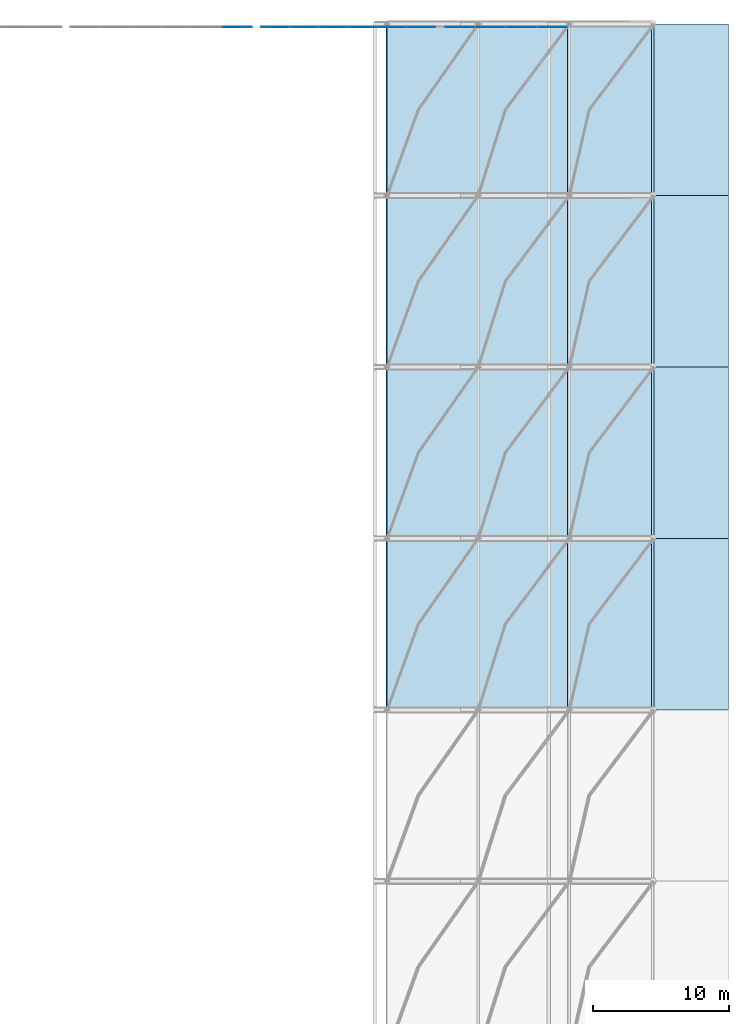
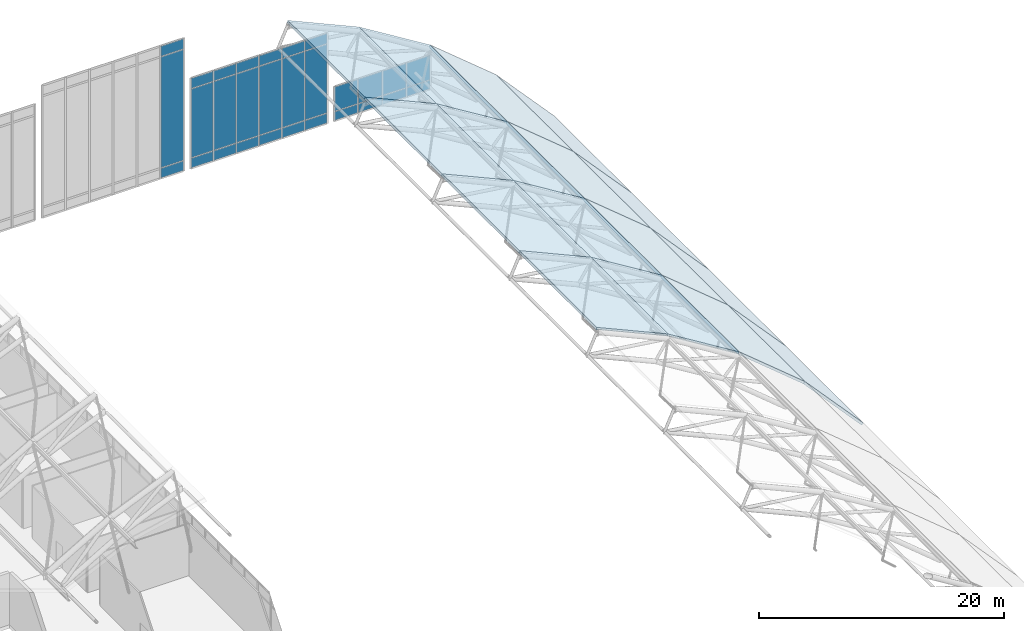
# One storey, part 31 of 42: 29 plates, 16 slabs, 3 elements without a shape of their own.
"""IFC4 building model written with IfcOpenShell, lengths in metres."""

from ifc_helpers import new_model, si_unit, derived_unit, direction, frame, origin, origin_2d, place, context, subcontext, project, spatial, polyline, rectangle, outline, extrude, material, layer, layer_set, type_object, element, aggregate, save


model = new_model("IFC4")

# Units and contexts
model_context = context("Model", 3, precision=1e-05, world=origin(), true_north=direction((0.0, 1.0)))
body_context = subcontext(model_context, "Body", "Model", "MODEL_VIEW")
ifc_project = project(units=[si_unit("LENGTHUNIT", "METRE"), si_unit("AREAUNIT", "SQUARE_METRE"), si_unit("VOLUMEUNIT", "CUBIC_METRE"), si_unit("PLANEANGLEUNIT", "RADIAN"), si_unit("MASSUNIT", "GRAM", prefix="KILO"), derived_unit("THERMALTRANSMITTANCEUNIT", [(si_unit("MASSUNIT", "GRAM", prefix="KILO"), 1), (si_unit("TIMEUNIT", "SECOND"), -3), (si_unit("THERMODYNAMICTEMPERATUREUNIT", "KELVIN"), -1)])], contexts=[model_context])

# Site, building, storey
site_placement = place(None, origin())
site = spatial("IfcSite", under=ifc_project, at=site_placement, CompositionType="ELEMENT")
building_placement = place(site_placement, origin())
building = spatial("IfcBuilding", under=site, at=building_placement, Name="Valcora Ridge Arena", CompositionType="ELEMENT")
storey_placement = place(building_placement, frame((0.0, 0.0, 26.39990234375)))
storey = spatial("IfcBuildingStorey", under=building, at=storey_placement, Name="L05", CompositionType="ELEMENT", Elevation=26.39990234375)

# Curtain wall, plates
ifc_material_1 = material(Name="Anodised dark bronze architectural aluminium 6063-T6", Category="aluminium")
ifc_layer_1 = layer(ifc_material_1, 0.179931640625, Name="Anodised dark bronze architectural aluminium 6063-T6")
ifc_layer_set_1 = layer_set([ifc_layer_1], Name="Anodised dark bronze architectural aluminium 6063-T6")
curtain_wall_type_1 = type_object("IfcCurtainWallType", Name="TY-CURTAINWALL-CW-V1-TYMPN-129X90", PredefinedType="NOTDEFINED", material=ifc_layer_set_1)
curtain_wall_1_placement = place(storey_placement, origin())
curtain_wall_1 = element("IfcCurtainWall", 1, at=curtain_wall_1_placement, inside=storey, type_object=curtain_wall_type_1, Name="CW-V1-TYMPN-129X90 CW-0177", PredefinedType="NOTDEFINED")
ifc_material_2 = material(Name="Low-iron solar-control double glazing SHGC 0.28", Category="glass")
ifc_layer_2 = layer(ifc_material_2, 0.031982421875, Name="Low-iron solar-control double glazing SHGC 0.28")
ifc_layer_set_2 = layer_set([ifc_layer_2], Name="Low-iron solar-control double glazing SHGC 0.28")
plate_type_1 = type_object("IfcPlateType", Name="TY-PLT-CWP-2060X0960", PredefinedType="CURTAIN_PANEL", material=ifc_layer_set_2)
plate_1_placement = place(storey_placement, frame((67.68994140625, 107.97998046875, 0.06005859375), z_axis=(0.0, 0.0, 1.0), x_axis=(1.0, 0.0, 0.0)))
plate_1 = element("IfcPlate", 2, at=plate_1_placement, type_object=plate_type_1, Name="CW-0177/P00-00", PredefinedType="CURTAIN_PANEL", context=body_context, shape_type="SweptSolid", body=[
    extrude(rectangle(XDim=2.06005859375, YDim=0.031982421875, at=origin_2d()), origin(), (0.0, 0.0, 1.0), 0.9599609375),
])
plate_2_placement = place(storey_placement, frame((78.409912109375, 107.97998046875, 0.06005859375), z_axis=(0.0, 0.0, 1.0), x_axis=(1.0, 0.0, 0.0)))
plate_2 = element("IfcPlate", 3, at=plate_2_placement, type_object=plate_type_1, Name="CW-0177/P05-00", PredefinedType="CURTAIN_PANEL", context=body_context, shape_type="SweptSolid", body=[
    extrude(rectangle(XDim=2.06005859375, YDim=0.031982421875, at=origin_2d()), origin(), (0.0, 0.0, 1.0), 0.9599609375),
])
ifc_layer_3 = layer(ifc_material_2, 0.031982421875, Name="Low-iron solar-control double glazing SHGC 0.28")
ifc_layer_set_3 = layer_set([ifc_layer_3], Name="Low-iron solar-control double glazing SHGC 0.28")
plate_type_2 = type_object("IfcPlateType", Name="TY-PLT-CWP-2060X1010", PredefinedType="CURTAIN_PANEL", material=ifc_layer_set_3)
plate_3_placement = place(storey_placement, frame((67.68994140625, 107.97998046875, 7.97314453125), z_axis=(0.0, 0.0, 1.0), x_axis=(1.0, 0.0, 0.0)))
plate_3 = element("IfcPlate", 4, at=plate_3_placement, type_object=plate_type_2, Name="CW-0177/P00-02", PredefinedType="CURTAIN_PANEL", context=body_context, shape_type="SweptSolid", body=[
    extrude(rectangle(XDim=2.06005859375, YDim=0.031982421875, at=origin_2d()), origin(), (0.0, 0.0, 1.0), 1.010009765625),
])
plate_4_placement = place(storey_placement, frame((78.409912109375, 107.97998046875, 7.97314453125), z_axis=(0.0, 0.0, 1.0), x_axis=(1.0, 0.0, 0.0)))
plate_4 = element("IfcPlate", 5, at=plate_4_placement, type_object=plate_type_2, Name="CW-0177/P05-02", PredefinedType="CURTAIN_PANEL", context=body_context, shape_type="SweptSolid", body=[
    extrude(rectangle(XDim=2.06005859375, YDim=0.031982421875, at=origin_2d()), origin(), (0.0, 0.0, 1.0), 1.010009765625),
])
ifc_layer_4 = layer(ifc_material_2, 0.031982421875, Name="Low-iron solar-control double glazing SHGC 0.28")
ifc_layer_set_4 = layer_set([ifc_layer_4], Name="Low-iron solar-control double glazing SHGC 0.28")
plate_type_3 = type_object("IfcPlateType", Name="TY-PLT-CWP-2060X6833", PredefinedType="CURTAIN_PANEL", material=ifc_layer_set_4)
plate_5_placement = place(storey_placement, frame((67.68994140625, 107.97998046875, 1.080078125), z_axis=(0.0, 0.0, 1.0), x_axis=(1.0, 0.0, 0.0)))
plate_5 = element("IfcPlate", 6, at=plate_5_placement, type_object=plate_type_3, Name="CW-0177/P00-01", PredefinedType="CURTAIN_PANEL", context=body_context, shape_type="SweptSolid", body=[
    extrude(rectangle(XDim=2.06005859375, YDim=0.031982421875, at=origin_2d()), origin(), (0.0, 0.0, 1.0), 6.8330078125),
])
plate_6_placement = place(storey_placement, frame((78.409912109375, 107.97998046875, 1.080078125), z_axis=(0.0, 0.0, 1.0), x_axis=(1.0, 0.0, 0.0)))
plate_6 = element("IfcPlate", 7, at=plate_6_placement, type_object=plate_type_3, Name="CW-0177/P05-01", PredefinedType="CURTAIN_PANEL", context=body_context, shape_type="SweptSolid", body=[
    extrude(rectangle(XDim=2.06005859375, YDim=0.031982421875, at=origin_2d()), origin(), (0.0, 0.0, 1.0), 6.8330078125),
])
ifc_layer_5 = layer(ifc_material_2, 0.031982421875, Name="Low-iron solar-control double glazing SHGC 0.28")
ifc_layer_set_5 = layer_set([ifc_layer_5], Name="Low-iron solar-control double glazing SHGC 0.28")
plate_type_4 = type_object("IfcPlateType", Name="TY-PLT-CWP-2090X0960", PredefinedType="CURTAIN_PANEL", material=ifc_layer_set_5)
plate_7_placement = place(storey_placement, frame((69.824951171875, 107.97998046875, 0.06005859375), z_axis=(0.0, 0.0, 1.0), x_axis=(1.0, 0.0, 0.0)))
plate_7 = element("IfcPlate", 8, at=plate_7_placement, type_object=plate_type_4, Name="CW-0177/P01-00", PredefinedType="CURTAIN_PANEL", context=body_context, shape_type="SweptSolid", body=[
    extrude(rectangle(XDim=2.090087890625, YDim=0.031982421875, at=origin_2d()), origin(), (0.0, 0.0, 1.0), 0.9599609375),
])
plate_8_placement = place(storey_placement, frame((71.97509765625, 107.97998046875, 0.06005859375), z_axis=(0.0, 0.0, 1.0), x_axis=(1.0, 0.0, 0.0)))
plate_8 = element("IfcPlate", 9, at=plate_8_placement, type_object=plate_type_4, Name="CW-0177/P02-00", PredefinedType="CURTAIN_PANEL", context=body_context, shape_type="SweptSolid", body=[
    extrude(rectangle(XDim=2.090087890625, YDim=0.031982421875, at=origin_2d()), origin(), (0.0, 0.0, 1.0), 0.9599609375),
])
plate_9_placement = place(storey_placement, frame((74.125, 107.97998046875, 0.06005859375), z_axis=(0.0, 0.0, 1.0), x_axis=(1.0, 0.0, 0.0)))
plate_9 = element("IfcPlate", 10, at=plate_9_placement, type_object=plate_type_4, Name="CW-0177/P03-00", PredefinedType="CURTAIN_PANEL", context=body_context, shape_type="SweptSolid", body=[
    extrude(rectangle(XDim=2.090087890625, YDim=0.031982421875, at=origin_2d()), origin(), (0.0, 0.0, 1.0), 0.9599609375),
])
plate_10_placement = place(storey_placement, frame((76.27490234375, 107.97998046875, 0.06005859375), z_axis=(0.0, 0.0, 1.0), x_axis=(1.0, 0.0, 0.0)))
plate_10 = element("IfcPlate", 11, at=plate_10_placement, type_object=plate_type_4, Name="CW-0177/P04-00", PredefinedType="CURTAIN_PANEL", context=body_context, shape_type="SweptSolid", body=[
    extrude(rectangle(XDim=2.090087890625, YDim=0.031982421875, at=origin_2d()), origin(), (0.0, 0.0, 1.0), 0.9599609375),
])
ifc_layer_6 = layer(ifc_material_2, 0.031982421875, Name="Low-iron solar-control double glazing SHGC 0.28")
ifc_layer_set_6 = layer_set([ifc_layer_6], Name="Low-iron solar-control double glazing SHGC 0.28")
plate_type_5 = type_object("IfcPlateType", Name="TY-PLT-CWP-2090X1010", PredefinedType="CURTAIN_PANEL", material=ifc_layer_set_6)
plate_11_placement = place(storey_placement, frame((69.824951171875, 107.97998046875, 7.97314453125), z_axis=(0.0, 0.0, 1.0), x_axis=(1.0, 0.0, 0.0)))
plate_11 = element("IfcPlate", 12, at=plate_11_placement, type_object=plate_type_5, Name="CW-0177/P01-02", PredefinedType="CURTAIN_PANEL", context=body_context, shape_type="SweptSolid", body=[
    extrude(rectangle(XDim=2.090087890625, YDim=0.031982421875, at=origin_2d()), origin(), (0.0, 0.0, 1.0), 1.010009765625),
])
plate_12_placement = place(storey_placement, frame((71.97509765625, 107.97998046875, 7.97314453125), z_axis=(0.0, 0.0, 1.0), x_axis=(1.0, 0.0, 0.0)))
plate_12 = element("IfcPlate", 13, at=plate_12_placement, type_object=plate_type_5, Name="CW-0177/P02-02", PredefinedType="CURTAIN_PANEL", context=body_context, shape_type="SweptSolid", body=[
    extrude(rectangle(XDim=2.090087890625, YDim=0.031982421875, at=origin_2d()), origin(), (0.0, 0.0, 1.0), 1.010009765625),
])
plate_13_placement = place(storey_placement, frame((74.125, 107.97998046875, 7.97314453125), z_axis=(0.0, 0.0, 1.0), x_axis=(1.0, 0.0, 0.0)))
plate_13 = element("IfcPlate", 14, at=plate_13_placement, type_object=plate_type_5, Name="CW-0177/P03-02", PredefinedType="CURTAIN_PANEL", context=body_context, shape_type="SweptSolid", body=[
    extrude(rectangle(XDim=2.090087890625, YDim=0.031982421875, at=origin_2d()), origin(), (0.0, 0.0, 1.0), 1.010009765625),
])
plate_14_placement = place(storey_placement, frame((76.27490234375, 107.97998046875, 7.97314453125), z_axis=(0.0, 0.0, 1.0), x_axis=(1.0, 0.0, 0.0)))
plate_14 = element("IfcPlate", 15, at=plate_14_placement, type_object=plate_type_5, Name="CW-0177/P04-02", PredefinedType="CURTAIN_PANEL", context=body_context, shape_type="SweptSolid", body=[
    extrude(rectangle(XDim=2.090087890625, YDim=0.031982421875, at=origin_2d()), origin(), (0.0, 0.0, 1.0), 1.010009765625),
])
ifc_layer_7 = layer(ifc_material_2, 0.031982421875, Name="Low-iron solar-control double glazing SHGC 0.28")
ifc_layer_set_7 = layer_set([ifc_layer_7], Name="Low-iron solar-control double glazing SHGC 0.28")
plate_type_6 = type_object("IfcPlateType", Name="TY-PLT-CWP-2090X6833", PredefinedType="CURTAIN_PANEL", material=ifc_layer_set_7)
plate_15_placement = place(storey_placement, frame((69.824951171875, 107.97998046875, 1.080078125), z_axis=(0.0, 0.0, 1.0), x_axis=(1.0, 0.0, 0.0)))
plate_15 = element("IfcPlate", 16, at=plate_15_placement, type_object=plate_type_6, Name="CW-0177/P01-01", PredefinedType="CURTAIN_PANEL", context=body_context, shape_type="SweptSolid", body=[
    extrude(rectangle(XDim=2.090087890625, YDim=0.031982421875, at=origin_2d()), origin(), (0.0, 0.0, 1.0), 6.8330078125),
])
plate_16_placement = place(storey_placement, frame((71.97509765625, 107.97998046875, 1.080078125), z_axis=(0.0, 0.0, 1.0), x_axis=(1.0, 0.0, 0.0)))
plate_16 = element("IfcPlate", 17, at=plate_16_placement, type_object=plate_type_6, Name="CW-0177/P02-01", PredefinedType="CURTAIN_PANEL", context=body_context, shape_type="SweptSolid", body=[
    extrude(rectangle(XDim=2.090087890625, YDim=0.031982421875, at=origin_2d()), origin(), (0.0, 0.0, 1.0), 6.8330078125),
])
plate_17_placement = place(storey_placement, frame((74.125, 107.97998046875, 1.080078125), z_axis=(0.0, 0.0, 1.0), x_axis=(1.0, 0.0, 0.0)))
plate_17 = element("IfcPlate", 18, at=plate_17_placement, type_object=plate_type_6, Name="CW-0177/P03-01", PredefinedType="CURTAIN_PANEL", context=body_context, shape_type="SweptSolid", body=[
    extrude(rectangle(XDim=2.090087890625, YDim=0.031982421875, at=origin_2d()), origin(), (0.0, 0.0, 1.0), 6.8330078125),
])
plate_18_placement = place(storey_placement, frame((76.27490234375, 107.97998046875, 1.080078125), z_axis=(0.0, 0.0, 1.0), x_axis=(1.0, 0.0, 0.0)))
plate_18 = element("IfcPlate", 19, at=plate_18_placement, type_object=plate_type_6, Name="CW-0177/P04-01", PredefinedType="CURTAIN_PANEL", context=body_context, shape_type="SweptSolid", body=[
    extrude(rectangle(XDim=2.090087890625, YDim=0.031982421875, at=origin_2d()), origin(), (0.0, 0.0, 1.0), 6.8330078125),
])
aggregate(curtain_wall_1, [plate_1, plate_5, plate_3, plate_7, plate_15, plate_11, plate_8, plate_16, plate_12, plate_9, plate_17, plate_13, plate_10, plate_18, plate_14, plate_2, plate_6, plate_4])

ifc_layer_8 = layer(ifc_material_1, 0.179931640625, Name="Anodised dark bronze architectural aluminium 6063-T6")
ifc_layer_set_8 = layer_set([ifc_layer_8], Name="Anodised dark bronze architectural aluminium 6063-T6")
curtain_wall_type_2 = type_object("IfcCurtainWallType", Name="TY-CURTAINWALL-CW-V1-TYMPN-134X132", PredefinedType="NOTDEFINED", material=ifc_layer_set_8)
curtain_wall_2_placement = place(storey_placement, origin())
curtain_wall_2 = element("IfcCurtainWall", 20, at=curtain_wall_2_placement, inside=storey, type_object=curtain_wall_type_2, Name="CW-V1-TYMPN-134X132 CW-0175", PredefinedType="NOTDEFINED")
ifc_layer_9 = layer(ifc_material_2, 0.031982421875, Name="Low-iron solar-control double glazing SHGC 0.28")
ifc_layer_set_9 = layer_set([ifc_layer_9], Name="Low-iron solar-control double glazing SHGC 0.28")
plate_type_7 = type_object("IfcPlateType", Name="TY-PLT-CWP-2143X0960", PredefinedType="CURTAIN_PANEL", material=ifc_layer_set_9)
plate_19_placement = place(storey_placement, frame((64.868408203125, 107.97998046875, 0.06005859375), z_axis=(0.0, 0.0, 1.0), x_axis=(1.0, 0.0, 0.0)))
plate_19 = element("IfcPlate", 21, at=plate_19_placement, type_object=plate_type_7, Name="CW-0175/P05-00", PredefinedType="CURTAIN_PANEL", context=body_context, shape_type="SweptSolid", body=[
    extrude(rectangle(XDim=2.14306640625, YDim=0.031982421875, at=origin_2d()), origin(), (0.0, 0.0, 1.0), 0.9599609375),
])
ifc_layer_10 = layer(ifc_material_2, 0.031982421875, Name="Low-iron solar-control double glazing SHGC 0.28")
ifc_layer_set_10 = layer_set([ifc_layer_10], Name="Low-iron solar-control double glazing SHGC 0.28")
plate_type_8 = type_object("IfcPlateType", Name="TY-PLT-CWP-2143X1010", PredefinedType="CURTAIN_PANEL", material=ifc_layer_set_10)
plate_20_placement = place(storey_placement, frame((64.868408203125, 107.97998046875, 12.169921875), z_axis=(0.0, 0.0, 1.0), x_axis=(1.0, 0.0, 0.0)))
plate_20 = element("IfcPlate", 22, at=plate_20_placement, type_object=plate_type_8, Name="CW-0175/P05-02", PredefinedType="CURTAIN_PANEL", context=body_context, shape_type="SweptSolid", body=[
    extrude(rectangle(XDim=2.14306640625, YDim=0.031982421875, at=origin_2d()), origin(), (0.0, 0.0, 1.0), 1.010009765625),
])
ifc_layer_11 = layer(ifc_material_2, 0.031982421875, Name="Low-iron solar-control double glazing SHGC 0.28")
ifc_layer_set_11 = layer_set([ifc_layer_11], Name="Low-iron solar-control double glazing SHGC 0.28")
plate_type_9 = type_object("IfcPlateType", Name="TY-PLT-CWP-2143X11030", PredefinedType="CURTAIN_PANEL", material=ifc_layer_set_11)
plate_21_placement = place(storey_placement, frame((64.868408203125, 107.97998046875, 1.080078125), z_axis=(0.0, 0.0, 1.0), x_axis=(1.0, 0.0, 0.0)))
plate_21 = element("IfcPlate", 23, at=plate_21_placement, type_object=plate_type_9, Name="CW-0175/P05-01", PredefinedType="CURTAIN_PANEL", context=body_context, shape_type="SweptSolid", body=[
    extrude(rectangle(XDim=2.14306640625, YDim=0.031982421875, at=origin_2d()), origin(), (0.0, 0.0, 1.0), 11.030029296875),
])
aggregate(curtain_wall_2, [plate_19, plate_21, plate_20])

ifc_layer_12 = layer(ifc_material_1, 0.179931640625, Name="Anodised dark bronze architectural aluminium 6063-T6")
ifc_layer_set_12 = layer_set([ifc_layer_12], Name="Anodised dark bronze architectural aluminium 6063-T6")
curtain_wall_type_3 = type_object("IfcCurtainWallType", Name="TY-CURTAINWALL-CW-V1-TYMPN-091X35", PredefinedType="NOTDEFINED", material=ifc_layer_set_12)
curtain_wall_3_placement = place(storey_placement, origin())
curtain_wall_3 = element("IfcCurtainWall", 24, at=curtain_wall_3_placement, inside=storey, type_object=curtain_wall_type_3, Name="CW-V1-TYMPN-091X35 CW-0179", PredefinedType="NOTDEFINED")
ifc_layer_13 = layer(ifc_material_2, 0.031982421875, Name="Low-iron solar-control double glazing SHGC 0.28")
ifc_layer_set_13 = layer_set([ifc_layer_13], Name="Low-iron solar-control double glazing SHGC 0.28")
plate_type_10 = type_object("IfcPlateType", Name="TY-PLT-CWP-2185X0860", PredefinedType="CURTAIN_PANEL", material=ifc_layer_set_13)
plate_22_placement = place(storey_placement, frame((81.25244140625, 107.97998046875, 0.06005859375), z_axis=(0.0, 0.0, 1.0), x_axis=(1.0, 0.0, 0.0)))
plate_22 = element("IfcPlate", 25, at=plate_22_placement, type_object=plate_type_10, Name="CW-0179/P00-00", PredefinedType="CURTAIN_PANEL", context=body_context, shape_type="SweptSolid", body=[
    extrude(rectangle(XDim=2.18505859375, YDim=0.031982421875, at=origin_2d()), origin(), (0.0, 0.0, 1.0), 0.860107421875),
])
plate_23_placement = place(storey_placement, frame((88.047607421875, 107.97998046875, 0.06005859375), z_axis=(0.0, 0.0, 1.0), x_axis=(1.0, 0.0, 0.0)))
plate_23 = element("IfcPlate", 26, at=plate_23_placement, type_object=plate_type_10, Name="CW-0179/P03-00", PredefinedType="CURTAIN_PANEL", context=body_context, shape_type="SweptSolid", body=[
    extrude(rectangle(XDim=2.18505859375, YDim=0.031982421875, at=origin_2d()), origin(), (0.0, 0.0, 1.0), 0.860107421875),
])
ifc_layer_14 = layer(ifc_material_2, 0.031982421875, Name="Low-iron solar-control double glazing SHGC 0.28")
ifc_layer_set_14 = layer_set([ifc_layer_14], Name="Low-iron solar-control double glazing SHGC 0.28")
plate_type_11 = type_object("IfcPlateType", Name="TY-PLT-CWP-2185X2421", PredefinedType="CURTAIN_PANEL", material=ifc_layer_set_14)
plate_24_placement = place(storey_placement, frame((81.25244140625, 107.97998046875, 0.980224609375), z_axis=(0.0, 0.0, 1.0), x_axis=(1.0, 0.0, 0.0)))
plate_24 = element("IfcPlate", 27, at=plate_24_placement, type_object=plate_type_11, Name="CW-0179/P00-01", PredefinedType="CURTAIN_PANEL", context=body_context, shape_type="SweptSolid", body=[
    extrude(rectangle(XDim=2.18505859375, YDim=0.031982421875, at=origin_2d()), origin(), (0.0, 0.0, 1.0), 2.4208984375),
])
plate_25_placement = place(storey_placement, frame((88.047607421875, 107.97998046875, 0.980224609375), z_axis=(0.0, 0.0, 1.0), x_axis=(1.0, 0.0, 0.0)))
plate_25 = element("IfcPlate", 28, at=plate_25_placement, type_object=plate_type_11, Name="CW-0179/P03-01", PredefinedType="CURTAIN_PANEL", context=body_context, shape_type="SweptSolid", body=[
    extrude(rectangle(XDim=2.18505859375, YDim=0.031982421875, at=origin_2d()), origin(), (0.0, 0.0, 1.0), 2.4208984375),
])
ifc_layer_15 = layer(ifc_material_2, 0.031982421875, Name="Low-iron solar-control double glazing SHGC 0.28")
ifc_layer_set_15 = layer_set([ifc_layer_15], Name="Low-iron solar-control double glazing SHGC 0.28")
plate_type_12 = type_object("IfcPlateType", Name="TY-PLT-CWP-2215X0860", PredefinedType="CURTAIN_PANEL", material=ifc_layer_set_15)
plate_26_placement = place(storey_placement, frame((83.512451171875, 107.97998046875, 0.06005859375), z_axis=(0.0, 0.0, 1.0), x_axis=(1.0, 0.0, 0.0)))
plate_26 = element("IfcPlate", 29, at=plate_26_placement, type_object=plate_type_12, Name="CW-0179/P01-00", PredefinedType="CURTAIN_PANEL", context=body_context, shape_type="SweptSolid", body=[
    extrude(rectangle(XDim=2.215087890625, YDim=0.031982421875, at=origin_2d()), origin(), (0.0, 0.0, 1.0), 0.860107421875),
])
plate_27_placement = place(storey_placement, frame((85.78759765625, 107.97998046875, 0.06005859375), z_axis=(0.0, 0.0, 1.0), x_axis=(1.0, 0.0, 0.0)))
plate_27 = element("IfcPlate", 30, at=plate_27_placement, type_object=plate_type_12, Name="CW-0179/P02-00", PredefinedType="CURTAIN_PANEL", context=body_context, shape_type="SweptSolid", body=[
    extrude(rectangle(XDim=2.215087890625, YDim=0.031982421875, at=origin_2d()), origin(), (0.0, 0.0, 1.0), 0.860107421875),
])
ifc_layer_16 = layer(ifc_material_2, 0.031982421875, Name="Low-iron solar-control double glazing SHGC 0.28")
ifc_layer_set_16 = layer_set([ifc_layer_16], Name="Low-iron solar-control double glazing SHGC 0.28")
plate_type_13 = type_object("IfcPlateType", Name="TY-PLT-CWP-2215X2421", PredefinedType="CURTAIN_PANEL", material=ifc_layer_set_16)
plate_28_placement = place(storey_placement, frame((83.512451171875, 107.97998046875, 0.980224609375), z_axis=(0.0, 0.0, 1.0), x_axis=(1.0, 0.0, 0.0)))
plate_28 = element("IfcPlate", 31, at=plate_28_placement, type_object=plate_type_13, Name="CW-0179/P01-01", PredefinedType="CURTAIN_PANEL", context=body_context, shape_type="SweptSolid", body=[
    extrude(rectangle(XDim=2.215087890625, YDim=0.031982421875, at=origin_2d()), origin(), (0.0, 0.0, 1.0), 2.4208984375),
])
plate_29_placement = place(storey_placement, frame((85.78759765625, 107.97998046875, 0.980224609375), z_axis=(0.0, 0.0, 1.0), x_axis=(1.0, 0.0, 0.0)))
plate_29 = element("IfcPlate", 32, at=plate_29_placement, type_object=plate_type_13, Name="CW-0179/P02-01", PredefinedType="CURTAIN_PANEL", context=body_context, shape_type="SweptSolid", body=[
    extrude(rectangle(XDim=2.215087890625, YDim=0.031982421875, at=origin_2d()), origin(), (0.0, 0.0, 1.0), 2.4208984375),
])
aggregate(curtain_wall_3, [plate_22, plate_24, plate_26, plate_28, plate_27, plate_29, plate_23, plate_25])

# Slabs
ifc_material_3 = material(Name="Concrete C40/50", Category="concrete")
ifc_layer_17 = layer(ifc_material_3, 0.219970703125, Name="Concrete C40/50")
ifc_layer_set_17 = layer_set([ifc_layer_17], Name="Concrete C40/50")
slab_type_1 = type_object("IfcSlabType", Name="TY-SLAB-RF-ARC-S09", PredefinedType="ROOF", material=ifc_layer_set_17)
slab_1_placement = place(storey_placement, frame((75.89990234375, 57.800048828125, 11.3759765625), z_axis=(0.408488575858, 0.0, 0.912763432327), x_axis=(0.912763432327, 0.0, -0.408488575858)))
element("IfcSlab", 33, at=slab_1_placement, inside=storey, type_object=slab_type_1, Name="RF-ARC-S09 SLB-RF-0045", PredefinedType="ROOF", context=body_context, shape_type="SweptSolid", body=[
    extrude(outline(polyline([(0.0, 0.0), (7.340560626335988, 0.0), (7.340560626335988, 12.599853515625), (0.0, 12.599853515625), (0.0, 0.0)])), origin(), (0.0, 0.0, -1.0), 0.219970703125),
])
for number, where, z_axis, x_axis, name in (
    (34, (75.89990234375, 70.39990234375, 11.3759765625), (0.408488575858, 0.0, 0.912763432327), (0.912763432327, 0.0, -0.408488575858), "RF-ARC-S09 SLB-RF-0057"),
    (35, (75.89990234375, 83.0, 11.3759765625), (0.408488575858, 0.0, 0.912763432327), (0.912763432327, 0.0, -0.408488575858), "RF-ARC-S09 SLB-RF-0069"),
):
    element("IfcSlab", number, at=place(storey_placement, frame(where, z_axis=z_axis, x_axis=x_axis)), inside=storey, type_object=slab_type_1, Name=name, PredefinedType="ROOF", context=body_context, shape_type="SweptSolid", body=[
        extrude(outline(polyline([(0.0, 0.0), (7.340560626335988, 0.0), (7.340560626335988, 12.60009765625), (0.0, 12.60009765625), (0.0, 0.0)])), origin(), (0.0, 0.0, -1.0), 0.219970703125),
    ])
slab_2_placement = place(storey_placement, frame((75.89990234375, 95.60009765625, 11.3759765625), z_axis=(0.408488575858, 0.0, 0.912763432327), x_axis=(0.912763432327, 0.0, -0.408488575858)))
element("IfcSlab", 36, at=slab_2_placement, inside=storey, type_object=slab_type_1, Name="RF-ARC-S09 SLB-RF-0081", PredefinedType="ROOF", context=body_context, shape_type="SweptSolid", body=[
    extrude(outline(polyline([(0.0, 0.0), (7.340560626335988, 0.0), (7.340560626335988, 12.599853515625), (0.0, 12.599853515625), (0.0, 0.0)])), origin(), (0.0, 0.0, -1.0), 0.219970703125),
])
ifc_layer_18 = layer(ifc_material_3, 0.219970703125, Name="Concrete C40/50")
ifc_layer_set_18 = layer_set([ifc_layer_18], Name="Concrete C40/50")
slab_type_2 = type_object("IfcSlabType", Name="TY-SLAB-RF-ARC-S10", PredefinedType="ROOF", material=ifc_layer_set_18)
slab_3_placement = place(storey_placement, frame((82.60009765625, 57.800048828125, 8.37744140625), z_axis=(0.525423571512, 0.0, 0.850840802089), x_axis=(0.850840802089, 0.0, -0.525423571512)))
element("IfcSlab", 37, at=slab_3_placement, inside=storey, type_object=slab_type_2, Name="RF-ARC-S10 SLB-RF-0046", PredefinedType="ROOF", context=body_context, shape_type="SweptSolid", body=[
    extrude(outline(polyline([(0.0, 0.0), (7.874506200718812, 0.0), (7.874506200718812, 12.599853515625), (0.0, 12.599853515625), (0.0, 0.0)])), origin(), (0.0, 0.0, -1.0), 0.219970703125),
])
for number, where, z_axis, x_axis, name in (
    (38, (82.60009765625, 70.39990234375, 8.37744140625), (0.525423571512, 0.0, 0.850840802089), (0.850840802089, 0.0, -0.525423571512), "RF-ARC-S10 SLB-RF-0058"),
    (39, (82.60009765625, 83.0, 8.37744140625), (0.525423571512, 0.0, 0.850840802089), (0.850840802089, 0.0, -0.525423571512), "RF-ARC-S10 SLB-RF-0070"),
):
    element("IfcSlab", number, at=place(storey_placement, frame(where, z_axis=z_axis, x_axis=x_axis)), inside=storey, type_object=slab_type_2, Name=name, PredefinedType="ROOF", context=body_context, shape_type="SweptSolid", body=[
        extrude(outline(polyline([(0.0, 0.0), (7.874506200718812, 0.0), (7.874506200718812, 12.60009765625), (0.0, 12.60009765625), (0.0, 0.0)])), origin(), (0.0, 0.0, -1.0), 0.219970703125),
    ])
slab_4_placement = place(storey_placement, frame((82.60009765625, 95.60009765625, 8.37744140625), z_axis=(0.525423571512, 0.0, 0.850840802089), x_axis=(0.850840802089, 0.0, -0.525423571512)))
element("IfcSlab", 40, at=slab_4_placement, inside=storey, type_object=slab_type_2, Name="RF-ARC-S10 SLB-RF-0082", PredefinedType="ROOF", context=body_context, shape_type="SweptSolid", body=[
    extrude(outline(polyline([(0.0, 0.0), (7.874506200718812, 0.0), (7.874506200718812, 12.599853515625), (0.0, 12.599853515625), (0.0, 0.0)])), origin(), (0.0, 0.0, -1.0), 0.219970703125),
])
ifc_layer_19 = layer(ifc_material_3, 0.219970703125, Name="Concrete C40/50")
ifc_layer_set_19 = layer_set([ifc_layer_19], Name="Concrete C40/50")
slab_type_3 = type_object("IfcSlabType", Name="TY-SLAB-RF-ARC-S11", PredefinedType="ROOF", material=ifc_layer_set_19)
slab_5_placement = place(storey_placement, frame((89.300048828125, 57.800048828125, 4.239990234375), z_axis=(0.637917681014, 0.0, 0.770104559296), x_axis=(0.770104559296, 0.0, -0.637917681014)))
element("IfcSlab", 41, at=slab_5_placement, inside=storey, type_object=slab_type_3, Name="RF-ARC-S11 SLB-RF-0047", PredefinedType="ROOF", context=body_context, shape_type="SweptSolid", body=[
    extrude(outline(polyline([(0.0, 0.0), (8.050791411414252, 0.0), (8.050791411414252, 12.599853515625), (0.0, 12.599853515625), (0.0, 0.0)])), origin(), (0.0, 0.0, -1.0), 0.219970703125),
])
for number, where, z_axis, x_axis, name in (
    (42, (89.300048828125, 70.39990234375, 4.239990234375), (0.637917681014, 0.0, 0.770104559296), (0.770104559296, 0.0, -0.637917681014), "RF-ARC-S11 SLB-RF-0059"),
    (43, (89.300048828125, 83.0, 4.239990234375), (0.637917681014, 0.0, 0.770104559296), (0.770104559296, 0.0, -0.637917681014), "RF-ARC-S11 SLB-RF-0071"),
):
    element("IfcSlab", number, at=place(storey_placement, frame(where, z_axis=z_axis, x_axis=x_axis)), inside=storey, type_object=slab_type_3, Name=name, PredefinedType="ROOF", context=body_context, shape_type="SweptSolid", body=[
        extrude(outline(polyline([(0.0, 0.0), (8.050791411414252, 0.0), (8.050791411414252, 12.60009765625), (0.0, 12.60009765625), (0.0, 0.0)])), origin(), (0.0, 0.0, -1.0), 0.219970703125),
    ])
slab_6_placement = place(storey_placement, frame((89.300048828125, 95.60009765625, 4.239990234375), z_axis=(0.637917681014, 0.0, 0.770104559296), x_axis=(0.770104559296, 0.0, -0.637917681014)))
element("IfcSlab", 44, at=slab_6_placement, inside=storey, type_object=slab_type_3, Name="RF-ARC-S11 SLB-RF-0083", PredefinedType="ROOF", context=body_context, shape_type="SweptSolid", body=[
    extrude(outline(polyline([(0.0, 0.0), (8.050791411414252, 0.0), (8.050791411414252, 12.599853515625), (0.0, 12.599853515625), (0.0, 0.0)])), origin(), (0.0, 0.0, -1.0), 0.219970703125),
])
ifc_layer_20 = layer(ifc_material_3, 0.219970703125, Name="Concrete C40/50")
ifc_layer_set_20 = layer_set([ifc_layer_20], Name="Concrete C40/50")
slab_type_4 = type_object("IfcSlabType", Name="TY-SLAB-RF-ARC-S12", PredefinedType="ROOF", material=ifc_layer_set_20)
slab_7_placement = place(storey_placement, frame((95.5, 57.800048828125, -0.895751953125), z_axis=(0.739969795529, 0.0, 0.672640098199), x_axis=(0.672640098199, 0.0, -0.739969795529)))
element("IfcSlab", 45, at=slab_7_placement, inside=storey, type_object=slab_type_4, Name="RF-ARC-S12 SLB-RF-0048", PredefinedType="ROOF", context=body_context, shape_type="SweptSolid", body=[
    extrude(outline(polyline([(0.0, 0.0), (8.17673524775775, 0.0), (8.17673524775775, 12.599853515625004), (0.0, 12.599853515625004), (0.0, 0.0)])), origin(), (0.0, 0.0, -1.0), 0.219970703125),
])
for number, where, z_axis, x_axis, name in (
    (46, (95.5, 70.39990234375, -0.895751953125), (0.739969795529, 0.0, 0.672640098199), (0.672640098199, 0.0, -0.739969795529), "RF-ARC-S12 SLB-RF-0060"),
    (47, (95.5, 83.0, -0.895751953125), (0.739969795529, 0.0, 0.672640098199), (0.672640098199, 0.0, -0.739969795529), "RF-ARC-S12 SLB-RF-0072"),
):
    element("IfcSlab", number, at=place(storey_placement, frame(where, z_axis=z_axis, x_axis=x_axis)), inside=storey, type_object=slab_type_4, Name=name, PredefinedType="ROOF", context=body_context, shape_type="SweptSolid", body=[
        extrude(outline(polyline([(0.0, 0.0), (8.17673524775775, 0.0), (8.17673524775775, 12.60009765625), (0.0, 12.60009765625), (0.0, 0.0)])), origin(), (0.0, 0.0, -1.0), 0.219970703125),
    ])
slab_8_placement = place(storey_placement, frame((95.5, 95.60009765625, -0.895751953125), z_axis=(0.739969795529, 0.0, 0.672640098199), x_axis=(0.672640098199, 0.0, -0.739969795529)))
element("IfcSlab", 48, at=slab_8_placement, inside=storey, type_object=slab_type_4, Name="RF-ARC-S12 SLB-RF-0084", PredefinedType="ROOF", context=body_context, shape_type="SweptSolid", body=[
    extrude(outline(polyline([(0.0, 0.0), (8.17673524775775, 0.0), (8.17673524775775, 12.599853515625004), (0.0, 12.599853515625004), (0.0, 0.0)])), origin(), (0.0, 0.0, -1.0), 0.219970703125),
])

save(model, "model.ifc")
